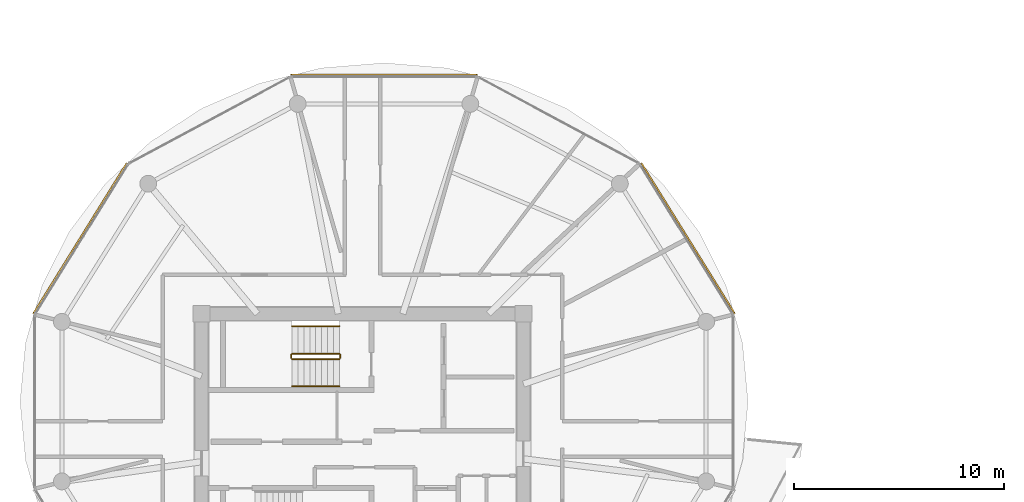
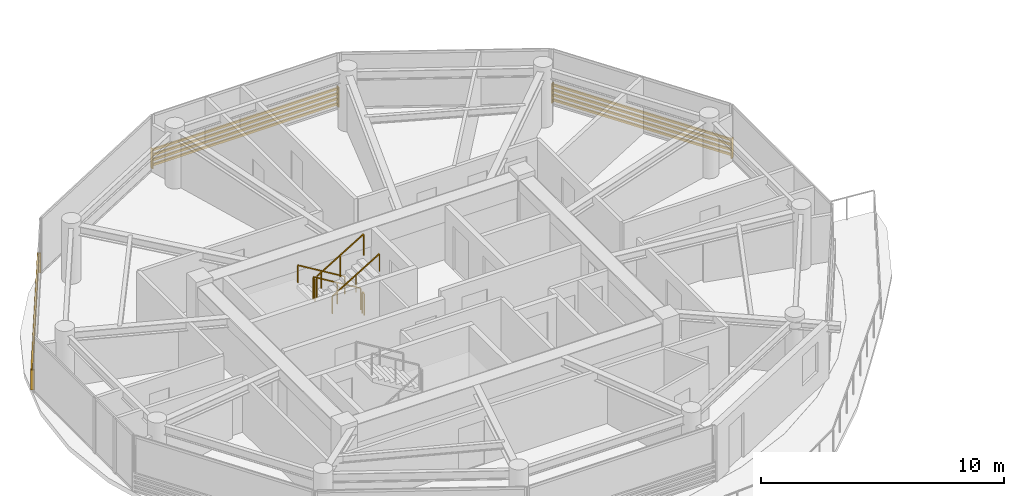
# One storey, part 19 of 22: 6 railings, 3 shading devices.
"""IFC4 building model written with IfcOpenShell, lengths in metres."""

from ifc_helpers import new_model, si_unit, direction, frame, origin, origin_2d, place, context, subcontext, project, spatial, rectangle, extrude, source, transform, mapped, material, type_object, type_shapes, element, save


model = new_model("IFC4")

# Units and contexts
model_context = context("Model", 3, precision=1e-05, world=origin(), true_north=direction((0.0, 1.0)))
body_context = subcontext(model_context, "Body", "Model", "MODEL_VIEW")
ifc_project = project(units=[si_unit("LENGTHUNIT", "METRE"), si_unit("AREAUNIT", "SQUARE_METRE"), si_unit("VOLUMEUNIT", "CUBIC_METRE"), si_unit("PLANEANGLEUNIT", "RADIAN"), si_unit("MASSUNIT", "GRAM", prefix="KILO")], contexts=[model_context])

# Site, building, storey
site_placement = place(None, origin())
site = spatial("IfcSite", under=ifc_project, at=site_placement, CompositionType="ELEMENT")
building_placement = place(site_placement, origin())
building = spatial("IfcBuilding", under=site, at=building_placement, Name="Norrkilde Senior Care Towers", CompositionType="ELEMENT")
storey_placement = place(building_placement, frame((0.0, 0.0, 180.050048828125)))
storey = spatial("IfcBuildingStorey", under=building, at=storey_placement, Name="L56", CompositionType="ELEMENT", Elevation=180.050048828125)

# Railings
ifc_material_1 = material(Name="Stainless Steel", Category="steel")
railing_type_1 = type_object("IfcRailingType", Name="Stair and Terrace Guardrail 1100", PredefinedType="GUARDRAIL", material=ifc_material_1)
railing_1_placement = place(storey_placement, frame((-29.10009765625, 4.050048828125, 0.16943359375)))
element("IfcRailing", 1, at=railing_1_placement, inside=storey, type_object=railing_type_1, Name="L56 ST-W1 stair guard 1", PredefinedType="GUARDRAIL", context=body_context, shape_type="SweptSolid", body=[
    extrude(rectangle(XDim=0.048095703125, YDim=0.048095703125, at=origin_2d()), frame((0.0, 0.0, 1.076171875), z_axis=(-0.855553338991, 0.0, 0.51771467445), x_axis=(0.0, -1.0, 0.0)), (0.0, 0.0, 1.0), 2.6181640625),
    extrude(rectangle(XDim=0.0419921875, YDim=0.0419921875, at=origin_2d()), origin(), (0.0, 0.0, 1.0), 1.050048828125),
    extrude(rectangle(XDim=0.0419921875, YDim=0.0419921875, at=origin_2d()), frame((-1.1201171875, 0.0, 0.677734375)), (0.0, 0.0, 1.0), 1.050048828125),
    extrude(rectangle(XDim=0.0419921875, YDim=0.0419921875, at=origin_2d()), frame((-2.239990234375, 0.0, 1.35546875)), (0.0, 0.0, 1.0), 1.050048828125),
])
railing_2_placement = place(storey_placement, frame((-31.389892578125, 4.0, 1.52490234375)))
element("IfcRailing", 2, at=railing_2_placement, inside=storey, type_object=railing_type_1, Name="L56 ST-W1 stair guard 2", PredefinedType="GUARDRAIL", context=body_context, shape_type="SweptSolid", body=[
    extrude(rectangle(XDim=0.048095703125, YDim=0.048095703125, at=origin_2d()), frame((0.0, 0.0, 1.076171875), z_axis=(0.0, -1.0, 0.0), x_axis=(1.0, 0.0, 0.0)), (0.0, 0.0, 1.0), 0.14990234375),
    extrude(rectangle(XDim=0.0419921875, YDim=0.0419921875, at=origin_2d()), origin(), (0.0, 0.0, 1.0), 1.050048828125),
    extrude(rectangle(XDim=0.0419921875, YDim=0.0419921875, at=origin_2d()), frame((0.0, -0.14990234375, 0.0)), (0.0, 0.0, 1.0), 1.050048828125),
])
railing_3_placement = place(storey_placement, frame((-31.340087890625, 3.800048828125, 1.6943359375)))
element("IfcRailing", 3, at=railing_3_placement, inside=storey, type_object=railing_type_1, Name="L56 ST-W1 stair guard 3", PredefinedType="GUARDRAIL", context=body_context, shape_type="SweptSolid", body=[
    extrude(rectangle(XDim=0.048095703125, YDim=0.048095703125, at=origin_2d()), frame((0.0, 0.0, 1.076171875), z_axis=(0.855512035549, 0.0, 0.517782924622), x_axis=(0.0, 1.0, 0.0)), (0.0, 0.0, 1.0), 2.618408203125),
    extrude(rectangle(XDim=0.0419921875, YDim=0.0419921875, at=origin_2d()), origin(), (0.0, 0.0, 1.0), 1.050048828125),
    extrude(rectangle(XDim=0.0419921875, YDim=0.0419921875, at=origin_2d()), frame((1.1201171875, 0.0, 0.677734375)), (0.0, 0.0, 1.0), 1.050048828125),
    extrude(rectangle(XDim=0.0419921875, YDim=0.0419921875, at=origin_2d()), frame((2.239990234375, 0.0, 1.355712890625)), (0.0, 0.0, 1.0), 1.050048828125),
])
railing_4_placement = place(storey_placement, frame((-29.050048828125, 4.0, 0.0)))
element("IfcRailing", 4, at=railing_4_placement, inside=storey, type_object=railing_type_1, Name="L56 ST-W1 stair guard 4", PredefinedType="GUARDRAIL", context=body_context, shape_type="SweptSolid", body=[
    extrude(rectangle(XDim=0.048095703125, YDim=0.048095703125, at=origin_2d()), frame((0.0, 0.0, 1.076171875), z_axis=(0.0, -1.0, 0.0), x_axis=(1.0, 0.0, 0.0)), (0.0, 0.0, 1.0), 0.14990234375),
    extrude(rectangle(XDim=0.0419921875, YDim=0.0419921875, at=origin_2d()), origin(), (0.0, 0.0, 1.0), 1.050048828125),
    extrude(rectangle(XDim=0.0419921875, YDim=0.0419921875, at=origin_2d()), frame((0.0, -0.14990234375, 0.0)), (0.0, 0.0, 1.0), 1.050048828125),
])
ifc_material_2 = material(Name="Nordic Ash Timber", Category="wood")
railing_type_2 = type_object("IfcRailingType", Name="Wall and Stair Handrail 900", PredefinedType="HANDRAIL", material=ifc_material_2)
railing_5_placement = place(storey_placement, frame((-29.10009765625, 5.35009765625, 0.16943359375)))
element("IfcRailing", 5, at=railing_5_placement, inside=storey, type_object=railing_type_2, Name="L56 ST-W1 stair handrail 1", PredefinedType="HANDRAIL", context=body_context, shape_type="SweptSolid", body=[
    extrude(rectangle(XDim=0.048095703125, YDim=0.048095703125, at=origin_2d()), frame((0.0, 0.0, 0.8759765625), z_axis=(-0.855553338991, 0.0, 0.51771467445), x_axis=(0.0, -1.0, 0.0)), (0.0, 0.0, 1.0), 2.6181640625),
    extrude(rectangle(XDim=0.0419921875, YDim=0.0419921875, at=origin_2d()), origin(), (0.0, 0.0, 1.0), 0.849853515625),
    extrude(rectangle(XDim=0.0419921875, YDim=0.0419921875, at=origin_2d()), frame((-1.1201171875, 0.0, 0.677734375)), (0.0, 0.0, 1.0), 0.849853515625),
    extrude(rectangle(XDim=0.0419921875, YDim=0.0419921875, at=origin_2d()), frame((-2.239990234375, 0.0, 1.35546875)), (0.0, 0.0, 1.0), 0.849853515625),
])
railing_6_placement = place(storey_placement, frame((-31.340087890625, 2.5, 1.6943359375)))
element("IfcRailing", 6, at=railing_6_placement, inside=storey, type_object=railing_type_2, Name="L56 ST-W1 stair handrail 2", PredefinedType="HANDRAIL", context=body_context, shape_type="SweptSolid", body=[
    extrude(rectangle(XDim=0.048095703125, YDim=0.048095703125, at=origin_2d()), frame((0.0, 0.0, 0.8759765625), z_axis=(0.855512035549, 0.0, 0.517782924622), x_axis=(0.0, 1.0, 0.0)), (0.0, 0.0, 1.0), 2.618408203125),
    extrude(rectangle(XDim=0.0419921875, YDim=0.0419921875, at=origin_2d()), origin(), (0.0, 0.0, 1.0), 0.849853515625),
    extrude(rectangle(XDim=0.0419921875, YDim=0.0419921875, at=origin_2d()), frame((1.1201171875, 0.0, 0.677734375)), (0.0, 0.0, 1.0), 0.849853515625),
    extrude(rectangle(XDim=0.0419921875, YDim=0.0419921875, at=origin_2d()), frame((2.239990234375, 0.0, 1.355712890625)), (0.0, 0.0, 1.0), 0.849853515625),
])

# Shading devices
ifc_material_3 = material(Name="Architectural Terracotta", Category="masonry")
shading_device_type = type_object("IfcShadingDeviceType", Name="Horizontal Terracotta Baguette Rack", PredefinedType="USERDEFINED", material=ifc_material_3)
shared_shape_1 = source(origin(), body_context, "Body", "SweptSolid", [
    extrude(rectangle(XDim=0.070068359375, YDim=0.110107421875, at=origin_2d()), frame((0.0, 0.090087890625, 0.125), z_axis=(1.0, 0.0, 0.0), x_axis=(0.0, 1.0, 0.0)), (0.0, 0.0, 1.0), 8.89306640625),
    extrude(rectangle(XDim=0.070068359375, YDim=0.110107421875, at=origin_2d()), frame((0.0, 0.090087890625, 0.375), z_axis=(1.0, 0.0, 0.0), x_axis=(0.0, 1.0, 0.0)), (0.0, 0.0, 1.0), 8.89306640625),
    extrude(rectangle(XDim=0.070068359375, YDim=0.110107421875, at=origin_2d()), frame((0.0, 0.090087890625, 0.625), z_axis=(1.0, 0.0, 0.0), x_axis=(0.0, 1.0, 0.0)), (0.0, 0.0, 1.0), 8.89306640625),
    extrude(rectangle(XDim=0.070068359375, YDim=0.110107421875, at=origin_2d()), frame((0.0, 0.090087890625, 0.875), z_axis=(1.0, 0.0, 0.0), x_axis=(0.0, 1.0, 0.0)), (0.0, 0.0, 1.0), 8.89306640625),
    extrude(rectangle(XDim=0.050048828125, YDim=0.1552734375, at=origin_2d()), frame((0.02490234375, 0.047607421875, 0.0)), (0.0, 0.0, 1.0), 1.0),
    extrude(rectangle(XDim=0.050048828125, YDim=0.1552734375, at=origin_2d()), frame((8.8681640625, 0.047607421875, 0.0)), (0.0, 0.0, 1.0), 1.0),
])
shading_device_placement = place(storey_placement, frame((-31.421630859375, 17.2109375, 0.079833984375), z_axis=(0.0, 0.0, 1.0), x_axis=(1.0, 0.0, 0.0)))
element("IfcShadingDevice", 7, at=shading_device_placement, inside=storey, type_object=shading_device_type, Name="L56 Drum W Terracotta Baguette Screen 02", ObjectType="BAGUETTE", PredefinedType="USERDEFINED", context=body_context, shape_type="MappedRepresentation", body=[
    mapped(shared_shape_1, transform((0.0, 0.0, 0.0), x_axis=(1.0, 0.0, 0.0), y_axis=(0.0, 1.0, 0.0), z_axis=(0.0, 0.0, 1.0), scale=1.0)),
])
shared_shape_2 = source(origin(), body_context, "Body", "SweptSolid", [
    extrude(rectangle(XDim=0.070068359375, YDim=0.110107421875, at=origin_2d()), frame((0.0, 0.090087890625, 0.125), z_axis=(1.0, 0.0, 0.0), x_axis=(0.0, 1.0, 0.0)), (0.0, 0.0, 1.0), 8.431396484375),
    extrude(rectangle(XDim=0.070068359375, YDim=0.110107421875, at=origin_2d()), frame((0.0, 0.090087890625, 0.375), z_axis=(1.0, 0.0, 0.0), x_axis=(0.0, 1.0, 0.0)), (0.0, 0.0, 1.0), 8.431396484375),
    extrude(rectangle(XDim=0.070068359375, YDim=0.110107421875, at=origin_2d()), frame((0.0, 0.090087890625, 0.625), z_axis=(1.0, 0.0, 0.0), x_axis=(0.0, 1.0, 0.0)), (0.0, 0.0, 1.0), 8.431396484375),
    extrude(rectangle(XDim=0.070068359375, YDim=0.110107421875, at=origin_2d()), frame((0.0, 0.090087890625, 0.875), z_axis=(1.0, 0.0, 0.0), x_axis=(0.0, 1.0, 0.0)), (0.0, 0.0, 1.0), 8.431396484375),
    extrude(rectangle(XDim=0.050048828125, YDim=0.1552734375, at=origin_2d()), frame((0.02490234375, 0.047607421875, 0.0)), (0.0, 0.0, 1.0), 1.0),
    extrude(rectangle(XDim=0.050048828125, YDim=0.1552734375, at=origin_2d()), frame((8.40625, 0.047607421875, 0.0)), (0.0, 0.0, 1.0), 1.0),
])
type_shapes(shading_device_type, [shared_shape_1, shared_shape_2])
for number, where, z_axis, x_axis, name in (
    (8, (-14.826904296875, 13.074951171875, 0.079833984375), (0.0, 0.0, 1.0), (0.527378022296, -0.849630809324, 0.0), "L56 Drum W Terracotta Baguette Screen 00"),
    (9, (-43.569580078125, 5.911376953125, 0.079833984375), (0.0, 0.0, 1.0), (0.527378022296, 0.849630809324, 0.0), "L56 Drum W Terracotta Baguette Screen 04"),
):
    element("IfcShadingDevice", number, at=place(storey_placement, frame(where, z_axis=z_axis, x_axis=x_axis)), inside=storey, type_object=shading_device_type, Name=name, ObjectType="BAGUETTE", PredefinedType="USERDEFINED", context=body_context, shape_type="MappedRepresentation", body=[
        mapped(shared_shape_2, transform((0.0, 0.0, 0.0), x_axis=(1.0, 0.0, 0.0), y_axis=(0.0, 1.0, 0.0), z_axis=(0.0, 0.0, 1.0), scale=1.0)),
    ])

save(model, "model.ifc")
